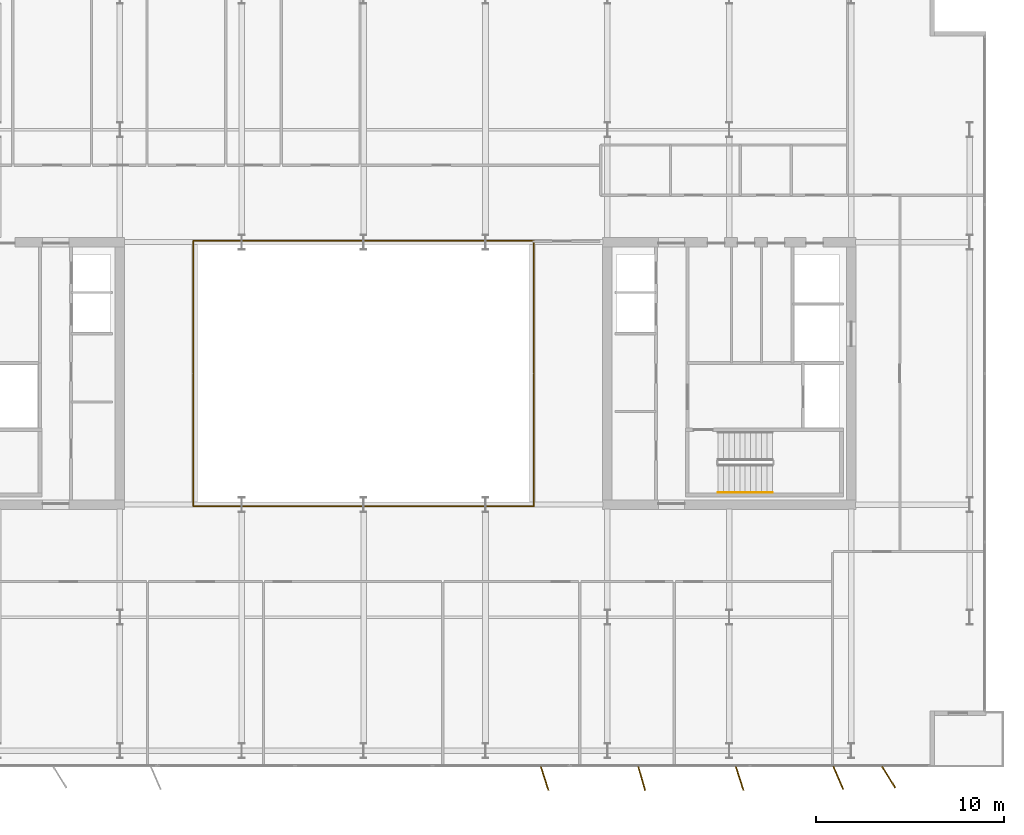
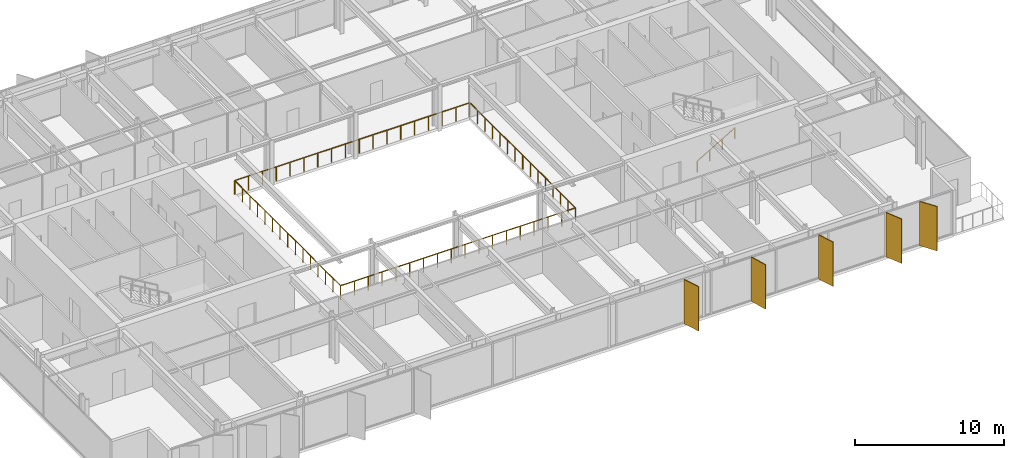
# One storey, part 22 of 24: 5 shading devices, 3 railings.
"""IFC4 building model written with IfcOpenShell, lengths in metres."""

from ifc_helpers import new_model, si_unit, direction, frame, origin, origin_2d, place, context, subcontext, project, spatial, rectangle, circle, extrude, material, layer, layer_set, type_object, element, save


model = new_model("IFC4")

# Units and contexts
model_context = context("Model", 3, precision=1e-05, world=origin(), true_north=direction((0.0, 1.0)))
body_context = subcontext(model_context, "Body", "Model", "MODEL_VIEW")
ifc_project = project(units=[si_unit("LENGTHUNIT", "METRE"), si_unit("AREAUNIT", "SQUARE_METRE"), si_unit("VOLUMEUNIT", "CUBIC_METRE"), si_unit("PLANEANGLEUNIT", "RADIAN"), si_unit("MASSUNIT", "GRAM", prefix="KILO")], contexts=[model_context])

# Site, building, storey
site_placement = place(None, origin())
site = spatial("IfcSite", under=ifc_project, at=site_placement, CompositionType="ELEMENT")
building_placement = place(site_placement, origin())
building = spatial("IfcBuilding", under=site, at=building_placement, Name="Putna Gate Headquarters", CompositionType="ELEMENT")
storey_placement = place(building_placement, frame((0.0, 0.0, 248.0)))
storey = spatial("IfcBuildingStorey", under=building, at=storey_placement, Name="L62", CompositionType="ELEMENT", Elevation=248.0)

# Railings
ifc_material_1 = material(Name="Anodised bronze and laminated glass atrium balustrade", Category="glass")
railing_type_1 = type_object("IfcRailingType", Name="RAIL-ATRIUM-GUARD-1150", PredefinedType="GUARDRAIL", material=ifc_material_1)
railing_1_placement = place(storey_placement, frame((29.919921875, 25.969970703125, 0.0)))
element("IfcRailing", 1, at=railing_1_placement, inside=storey, type_object=railing_type_1, Name="L62 Central Atrium Glazed Balustrade South", PredefinedType="GUARDRAIL", context=body_context, shape_type="SweptSolid", body=[
    extrude(circle(Radius=0.02392578125, at=origin_2d()), frame((0.0, 0.0, 1.1259765625), z_axis=(0.0, -1.0, 0.0), x_axis=(1.0, 0.0, 0.0)), (0.0, 0.0, 1.0), 7.050048828125),
    extrude(circle(Radius=0.02392578125, at=origin_2d()), frame((0.0, -7.050048828125, 1.1259765625), z_axis=(1.0, 0.0, 0.0), x_axis=(0.0, 1.0, 0.0)), (0.0, 0.0, 1.0), 18.16015625),
    extrude(circle(Radius=0.02392578125, at=origin_2d()), frame((18.16015625, -7.050048828125, 1.1259765625), z_axis=(0.0, 1.0, 0.0), x_axis=(-1.0, 0.0, 0.0)), (0.0, 0.0, 1.0), 7.050048828125),
    extrude(circle(Radius=0.02099609375, at=origin_2d()), origin(), (0.0, 0.0, 1.0), 1.101806640625),
    extrude(circle(Radius=0.02099609375, at=origin_2d()), frame((0.0, -1.007080078125, 0.0)), (0.0, 0.0, 1.0), 1.101806640625),
    extrude(circle(Radius=0.02099609375, at=origin_2d()), frame((0.0, -2.014404296875, 0.0)), (0.0, 0.0, 1.0), 1.101806640625),
    extrude(circle(Radius=0.02099609375, at=origin_2d()), frame((0.0, -3.021484375, 0.0)), (0.0, 0.0, 1.0), 1.101806640625),
    extrude(circle(Radius=0.02099609375, at=origin_2d()), frame((0.0, -4.028564453125, 0.0)), (0.0, 0.0, 1.0), 1.101806640625),
    extrude(circle(Radius=0.02099609375, at=origin_2d()), frame((0.0, -5.03564453125, 0.0)), (0.0, 0.0, 1.0), 1.101806640625),
    extrude(circle(Radius=0.02099609375, at=origin_2d()), frame((0.0, -6.04296875, 0.0)), (0.0, 0.0, 1.0), 1.101806640625),
    extrude(circle(Radius=0.02099609375, at=origin_2d()), frame((0.0, -7.050048828125, 0.0)), (0.0, 0.0, 1.0), 1.101806640625),
    extrude(circle(Radius=0.02099609375, at=origin_2d()), frame((1.068359375, -7.050048828125, 0.0)), (0.0, 0.0, 1.0), 1.101806640625),
    extrude(circle(Radius=0.02099609375, at=origin_2d()), frame((2.136474609375, -7.050048828125, 0.0)), (0.0, 0.0, 1.0), 1.101806640625),
    extrude(circle(Radius=0.02099609375, at=origin_2d()), frame((3.204833984375, -7.050048828125, 0.0)), (0.0, 0.0, 1.0), 1.101806640625),
    extrude(circle(Radius=0.02099609375, at=origin_2d()), frame((4.27294921875, -7.050048828125, 0.0)), (0.0, 0.0, 1.0), 1.101806640625),
    extrude(circle(Radius=0.02099609375, at=origin_2d()), frame((5.34130859375, -7.050048828125, 0.0)), (0.0, 0.0, 1.0), 1.101806640625),
    extrude(circle(Radius=0.02099609375, at=origin_2d()), frame((6.409423828125, -7.050048828125, 0.0)), (0.0, 0.0, 1.0), 1.101806640625),
    extrude(circle(Radius=0.02099609375, at=origin_2d()), frame((7.477783203125, -7.050048828125, 0.0)), (0.0, 0.0, 1.0), 1.101806640625),
    extrude(circle(Radius=0.02099609375, at=origin_2d()), frame((8.5458984375, -7.050048828125, 0.0)), (0.0, 0.0, 1.0), 1.101806640625),
    extrude(circle(Radius=0.02099609375, at=origin_2d()), frame((9.6142578125, -7.050048828125, 0.0)), (0.0, 0.0, 1.0), 1.101806640625),
    extrude(circle(Radius=0.02099609375, at=origin_2d()), frame((10.682373046875, -7.050048828125, 0.0)), (0.0, 0.0, 1.0), 1.101806640625),
    extrude(circle(Radius=0.02099609375, at=origin_2d()), frame((11.750732421875, -7.050048828125, 0.0)), (0.0, 0.0, 1.0), 1.101806640625),
    extrude(circle(Radius=0.02099609375, at=origin_2d()), frame((12.81884765625, -7.050048828125, 0.0)), (0.0, 0.0, 1.0), 1.101806640625),
    extrude(circle(Radius=0.02099609375, at=origin_2d()), frame((13.88720703125, -7.050048828125, 0.0)), (0.0, 0.0, 1.0), 1.101806640625),
    extrude(circle(Radius=0.02099609375, at=origin_2d()), frame((14.955322265625, -7.050048828125, 0.0)), (0.0, 0.0, 1.0), 1.101806640625),
    extrude(circle(Radius=0.02099609375, at=origin_2d()), frame((16.023681640625, -7.050048828125, 0.0)), (0.0, 0.0, 1.0), 1.101806640625),
    extrude(circle(Radius=0.02099609375, at=origin_2d()), frame((17.091796875, -7.050048828125, 0.0)), (0.0, 0.0, 1.0), 1.101806640625),
    extrude(circle(Radius=0.02099609375, at=origin_2d()), frame((18.16015625, -7.050048828125, 0.0)), (0.0, 0.0, 1.0), 1.101806640625),
    extrude(circle(Radius=0.02099609375, at=origin_2d()), frame((18.16015625, -6.04296875, 0.0)), (0.0, 0.0, 1.0), 1.101806640625),
    extrude(circle(Radius=0.02099609375, at=origin_2d()), frame((18.16015625, -5.03564453125, 0.0)), (0.0, 0.0, 1.0), 1.101806640625),
    extrude(circle(Radius=0.02099609375, at=origin_2d()), frame((18.16015625, -4.028564453125, 0.0)), (0.0, 0.0, 1.0), 1.101806640625),
    extrude(circle(Radius=0.02099609375, at=origin_2d()), frame((18.16015625, -3.021484375, 0.0)), (0.0, 0.0, 1.0), 1.101806640625),
    extrude(circle(Radius=0.02099609375, at=origin_2d()), frame((18.16015625, -2.014404296875, 0.0)), (0.0, 0.0, 1.0), 1.101806640625),
    extrude(circle(Radius=0.02099609375, at=origin_2d()), frame((18.16015625, -1.007080078125, 0.0)), (0.0, 0.0, 1.0), 1.101806640625),
    extrude(circle(Radius=0.02099609375, at=origin_2d()), frame((18.16015625, 0.0, 0.0)), (0.0, 0.0, 1.0), 1.101806640625),
])
railing_2_placement = place(storey_placement, frame((48.080078125, 26.030029296875, 0.0)))
element("IfcRailing", 2, at=railing_2_placement, inside=storey, type_object=railing_type_1, Name="L62 Central Atrium Glazed Balustrade North", PredefinedType="GUARDRAIL", context=body_context, shape_type="SweptSolid", body=[
    extrude(circle(Radius=0.02392578125, at=origin_2d()), frame((0.0, 0.0, 1.1259765625), z_axis=(0.0, 1.0, 0.0), x_axis=(-1.0, 0.0, 0.0)), (0.0, 0.0, 1.0), 7.050048828125),
    extrude(circle(Radius=0.02392578125, at=origin_2d()), frame((0.0, 7.050048828125, 1.1259765625), z_axis=(-1.0, 0.0, 0.0), x_axis=(0.0, -1.0, 0.0)), (0.0, 0.0, 1.0), 18.16015625),
    extrude(circle(Radius=0.02392578125, at=origin_2d()), frame((-18.16015625, 7.050048828125, 1.1259765625), z_axis=(0.0, -1.0, 0.0), x_axis=(1.0, 0.0, 0.0)), (0.0, 0.0, 1.0), 7.050048828125),
    extrude(circle(Radius=0.02099609375, at=origin_2d()), origin(), (0.0, 0.0, 1.0), 1.101806640625),
    extrude(circle(Radius=0.02099609375, at=origin_2d()), frame((0.0, 1.007080078125, 0.0)), (0.0, 0.0, 1.0), 1.101806640625),
    extrude(circle(Radius=0.02099609375, at=origin_2d()), frame((0.0, 2.014404296875, 0.0)), (0.0, 0.0, 1.0), 1.101806640625),
    extrude(circle(Radius=0.02099609375, at=origin_2d()), frame((0.0, 3.021484375, 0.0)), (0.0, 0.0, 1.0), 1.101806640625),
    extrude(circle(Radius=0.02099609375, at=origin_2d()), frame((0.0, 4.028564453125, 0.0)), (0.0, 0.0, 1.0), 1.101806640625),
    extrude(circle(Radius=0.02099609375, at=origin_2d()), frame((0.0, 5.03564453125, 0.0)), (0.0, 0.0, 1.0), 1.101806640625),
    extrude(circle(Radius=0.02099609375, at=origin_2d()), frame((0.0, 6.04296875, 0.0)), (0.0, 0.0, 1.0), 1.101806640625),
    extrude(circle(Radius=0.02099609375, at=origin_2d()), frame((0.0, 7.050048828125, 0.0)), (0.0, 0.0, 1.0), 1.101806640625),
    extrude(circle(Radius=0.02099609375, at=origin_2d()), frame((-1.068359375, 7.050048828125, 0.0)), (0.0, 0.0, 1.0), 1.101806640625),
    extrude(circle(Radius=0.02099609375, at=origin_2d()), frame((-2.136474609375, 7.050048828125, 0.0)), (0.0, 0.0, 1.0), 1.101806640625),
    extrude(circle(Radius=0.02099609375, at=origin_2d()), frame((-3.204833984375, 7.050048828125, 0.0)), (0.0, 0.0, 1.0), 1.101806640625),
    extrude(circle(Radius=0.02099609375, at=origin_2d()), frame((-4.27294921875, 7.050048828125, 0.0)), (0.0, 0.0, 1.0), 1.101806640625),
    extrude(circle(Radius=0.02099609375, at=origin_2d()), frame((-5.34130859375, 7.050048828125, 0.0)), (0.0, 0.0, 1.0), 1.101806640625),
    extrude(circle(Radius=0.02099609375, at=origin_2d()), frame((-6.409423828125, 7.050048828125, 0.0)), (0.0, 0.0, 1.0), 1.101806640625),
    extrude(circle(Radius=0.02099609375, at=origin_2d()), frame((-7.477783203125, 7.050048828125, 0.0)), (0.0, 0.0, 1.0), 1.101806640625),
    extrude(circle(Radius=0.02099609375, at=origin_2d()), frame((-8.5458984375, 7.050048828125, 0.0)), (0.0, 0.0, 1.0), 1.101806640625),
    extrude(circle(Radius=0.02099609375, at=origin_2d()), frame((-9.6142578125, 7.050048828125, 0.0)), (0.0, 0.0, 1.0), 1.101806640625),
    extrude(circle(Radius=0.02099609375, at=origin_2d()), frame((-10.682373046875, 7.050048828125, 0.0)), (0.0, 0.0, 1.0), 1.101806640625),
    extrude(circle(Radius=0.02099609375, at=origin_2d()), frame((-11.750732421875, 7.050048828125, 0.0)), (0.0, 0.0, 1.0), 1.101806640625),
    extrude(circle(Radius=0.02099609375, at=origin_2d()), frame((-12.81884765625, 7.050048828125, 0.0)), (0.0, 0.0, 1.0), 1.101806640625),
    extrude(circle(Radius=0.02099609375, at=origin_2d()), frame((-13.88720703125, 7.050048828125, 0.0)), (0.0, 0.0, 1.0), 1.101806640625),
    extrude(circle(Radius=0.02099609375, at=origin_2d()), frame((-14.955322265625, 7.050048828125, 0.0)), (0.0, 0.0, 1.0), 1.101806640625),
    extrude(circle(Radius=0.02099609375, at=origin_2d()), frame((-16.023681640625, 7.050048828125, 0.0)), (0.0, 0.0, 1.0), 1.101806640625),
    extrude(circle(Radius=0.02099609375, at=origin_2d()), frame((-17.091796875, 7.050048828125, 0.0)), (0.0, 0.0, 1.0), 1.101806640625),
    extrude(circle(Radius=0.02099609375, at=origin_2d()), frame((-18.16015625, 7.050048828125, 0.0)), (0.0, 0.0, 1.0), 1.101806640625),
    extrude(circle(Radius=0.02099609375, at=origin_2d()), frame((-18.16015625, 6.04296875, 0.0)), (0.0, 0.0, 1.0), 1.101806640625),
    extrude(circle(Radius=0.02099609375, at=origin_2d()), frame((-18.16015625, 5.03564453125, 0.0)), (0.0, 0.0, 1.0), 1.101806640625),
    extrude(circle(Radius=0.02099609375, at=origin_2d()), frame((-18.16015625, 4.028564453125, 0.0)), (0.0, 0.0, 1.0), 1.101806640625),
    extrude(circle(Radius=0.02099609375, at=origin_2d()), frame((-18.16015625, 3.021484375, 0.0)), (0.0, 0.0, 1.0), 1.101806640625),
    extrude(circle(Radius=0.02099609375, at=origin_2d()), frame((-18.16015625, 2.014404296875, 0.0)), (0.0, 0.0, 1.0), 1.101806640625),
    extrude(circle(Radius=0.02099609375, at=origin_2d()), frame((-18.16015625, 1.007080078125, 0.0)), (0.0, 0.0, 1.0), 1.101806640625),
    extrude(circle(Radius=0.02099609375, at=origin_2d()), frame((-18.16015625, 0.0, 0.0)), (0.0, 0.0, 1.0), 1.101806640625),
])
ifc_material_2 = material(Name="Brushed stainless steel handrail", Category="steel")
railing_type_2 = type_object("IfcRailingType", Name="RAIL-STAIR-HAND-900", PredefinedType="HANDRAIL", material=ifc_material_2)
railing_3_placement = place(storey_placement, frame((57.89990234375, 19.64990234375, 0.172607421875)))
element("IfcRailing", 3, at=railing_3_placement, inside=storey, type_object=railing_type_2, Name="L62 ST2 stair handrail 1", PredefinedType="HANDRAIL", context=body_context, shape_type="SweptSolid", body=[
    extrude(circle(Radius=0.02392578125, at=origin_2d()), frame((0.0, 0.0, 0.8759765625), z_axis=(0.859160404282, 0.0, 0.51170636083), x_axis=(0.0, 1.0, 0.0)), (0.0, 0.0, 1.0), 3.37548828125),
    extrude(circle(Radius=0.02099609375, at=origin_2d()), origin(), (0.0, 0.0, 1.0), 0.851806640625),
    extrude(circle(Radius=0.02099609375, at=origin_2d()), frame((0.966796875, 0.0, 0.57568359375)), (0.0, 0.0, 1.0), 0.851806640625),
    extrude(circle(Radius=0.02099609375, at=origin_2d()), frame((1.933349609375, 0.0, 1.151611328125)), (0.0, 0.0, 1.0), 0.851806640625),
    extrude(circle(Radius=0.02099609375, at=origin_2d()), frame((2.900146484375, 0.0, 1.727294921875)), (0.0, 0.0, 1.0), 0.851806640625),
])

# Shading devices
ifc_material_3 = material(Name="Anodised architectural bronze aluminium fin", Category="aluminium")
ifc_layer = layer(ifc_material_3, 0.06494140625)
ifc_layer_set = layer_set([ifc_layer], Name="Anodised architectural bronze aluminium fin")
shading_device_type = type_object("IfcShadingDeviceType", Name="SHADE-BRONZE-FIN-1320", PredefinedType="USERDEFINED", material=ifc_layer_set)
for number, where, z_axis, x_axis, name in (
    (4, (48.65380859375, 4.397216796875, -0.02001953125), (0.0, 0.0, 1.0), (0.308684994204, -0.951164325631, 0.0), "L62 Bronze Vertical Shading Fin S7"),
    (5, (53.831787109375, 4.390625, -0.02001953125), (0.0, 0.0, 1.0), (0.275637355817, -0.961261695938, 0.0), "L62 Bronze Vertical Shading Fin S8"),
    (6, (59.0537109375, 4.397216796875, -0.02001953125), (0.0, 0.0, 1.0), (0.308684994204, -0.951164325631, 0.0), "L62 Bronze Vertical Shading Fin S9"),
    (7, (64.314453125, 4.42041015625, -0.02001953125), (0.0, 0.0, 1.0), (0.400668879095, -0.916222925562, 0.0), "L62 Bronze Vertical Shading Fin S10"),
    (8, (67.000244140625, 4.465576171875, -0.02001953125), (0.0, 0.0, 1.0), (0.530659123936, -0.847585331506, 0.0), "L62 Bronze Vertical Shading Fin S11"),
):
    element("IfcShadingDevice", number, at=place(storey_placement, frame(where, z_axis=z_axis, x_axis=x_axis)), inside=storey, type_object=shading_device_type, Name=name, ObjectType="FIN", PredefinedType="USERDEFINED", context=body_context, shape_type="SweptSolid", body=[
        extrude(rectangle(XDim=1.320068359375, YDim=0.06494140625, at=origin_2d()), origin(), (0.0, 0.0, 1.0), 3.6201171875),
    ])

save(model, "model.ifc")
